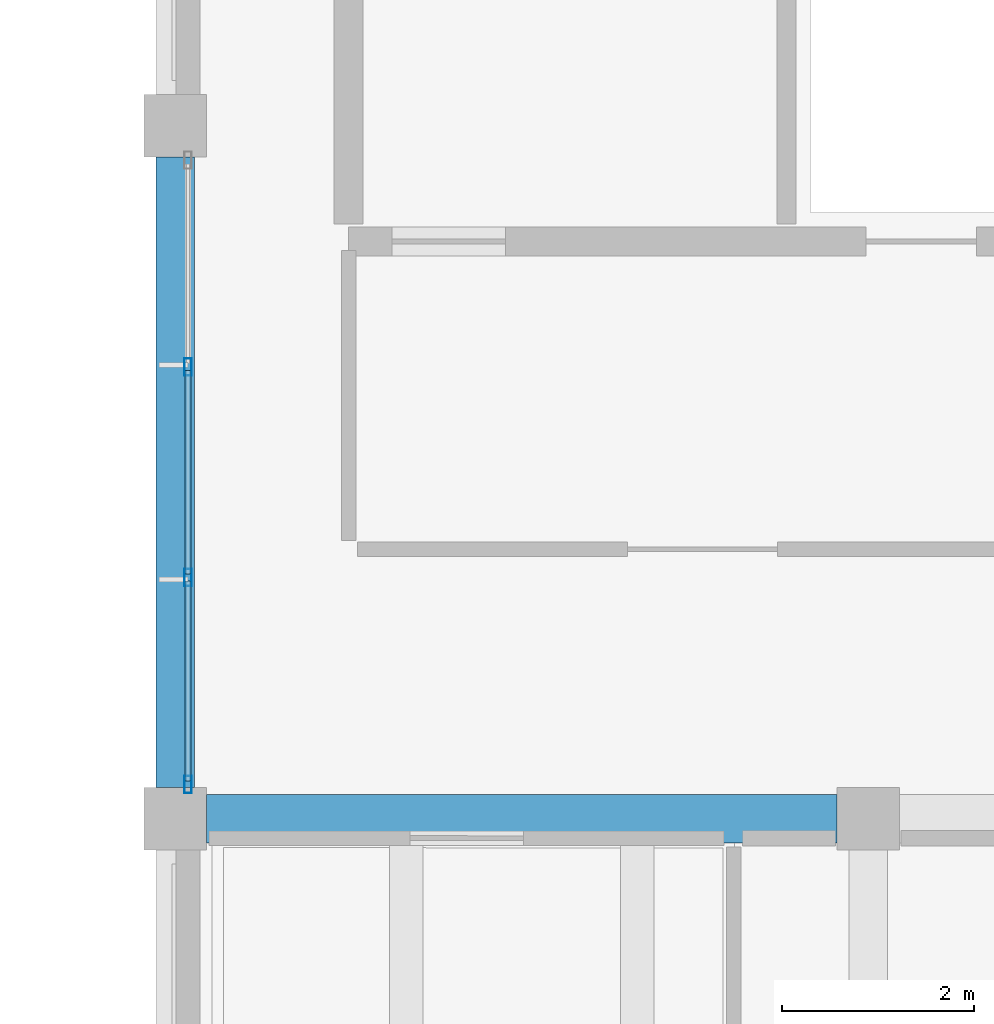
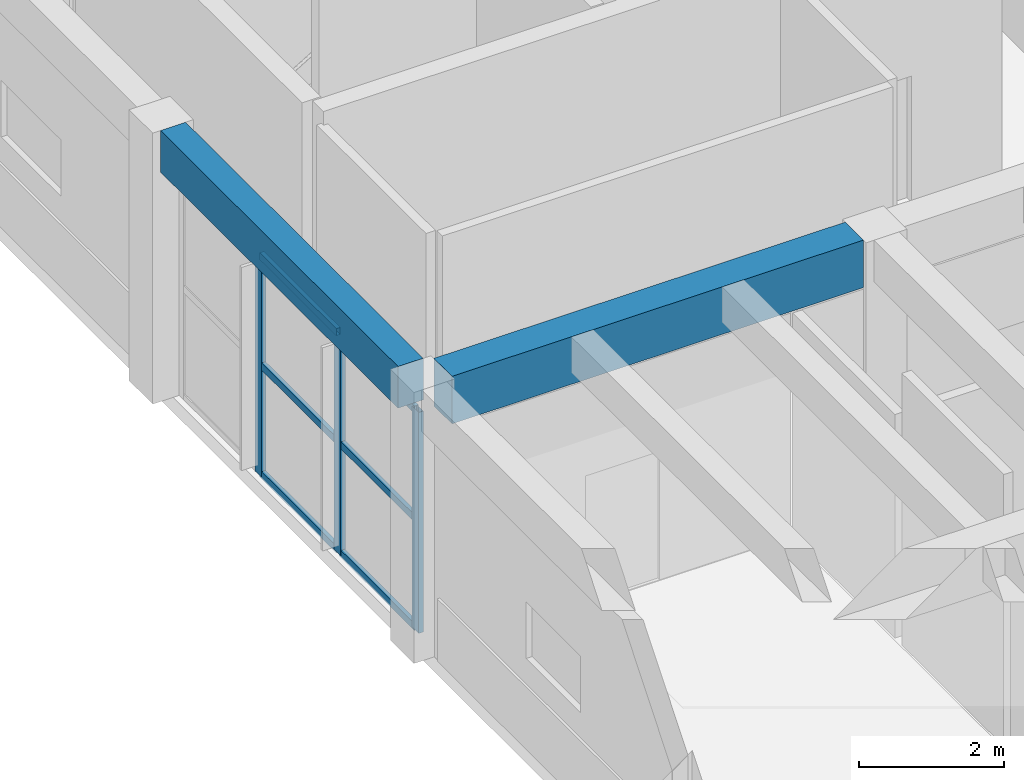
# One storey, part 72 of 155: 9 members, 2 beams, 1 element without a shape of its own.
"""IFC4 building model written with IfcOpenShell, lengths in metres."""

from ifc_helpers import new_model, si_unit, direction, frame, origin, origin_2d, place, context, subcontext, project, spatial, rectangle, hollow_rectangle, extrude, material, material_profile, profile_set, type_object, element, aggregate, save


model = new_model("IFC4")

# Units and contexts
model_context = context("Model", 3, precision=1e-05, world=origin(), true_north=direction((0.0, 1.0)))
body_context = subcontext(model_context, "Body", "Model", "MODEL_VIEW")
ifc_project = project(units=[si_unit("LENGTHUNIT", "METRE"), si_unit("AREAUNIT", "SQUARE_METRE"), si_unit("VOLUMEUNIT", "CUBIC_METRE"), si_unit("PLANEANGLEUNIT", "RADIAN"), si_unit("MASSUNIT", "GRAM", prefix="KILO")], contexts=[model_context])

# Site, building, storey
site_placement = place(None, origin())
site = spatial("IfcSite", under=ifc_project, at=site_placement, CompositionType="ELEMENT")
building_placement = place(site_placement, origin())
building = spatial("IfcBuilding", under=site, at=building_placement, Name="Bramvelor Terrace Health Centre", CompositionType="ELEMENT")
storey_placement = place(building_placement, origin())
storey = spatial("IfcBuildingStorey", under=building, at=storey_placement, Name="L01", CompositionType="ELEMENT", Elevation=0.0)

# Beams
ifc_material_1 = material(Name="Concrete C40/50", Category="concrete")
ifc_material_profile_1 = material_profile(ifc_material_1, rectangle(XDim=0.5, YDim=0.800048828125, at=origin_2d()), Name="RC 500x800")
ifc_profile_set_1 = profile_set([ifc_material_profile_1], Name="Concrete C40/50")
beam_type_1 = type_object("IfcBeamType", Name="BM-RC-G800", PredefinedType="BEAM", material=ifc_profile_set_1)
beam_1_placement = place(storey_placement, frame((0.324951171875, 100.800048828125, 4.159912109375), z_axis=(1.0, 0.0, 0.0), x_axis=(0.0, 1.0, 0.0)))
element("IfcBeam", 1, at=beam_1_placement, inside=storey, type_object=beam_type_1, Name="L01 Floor Girder", PredefinedType="BEAM", context=body_context, shape_type="SweptSolid", body=[
    extrude(rectangle(XDim=0.5, YDim=0.800048828125, at=origin_2d()), origin(), (0.0, 0.0, 1.0), 6.550048828125),
])
ifc_material_2 = material(Name="Concrete C40/50", Category="concrete")
ifc_material_profile_2 = material_profile(ifc_material_2, rectangle(XDim=0.39990234375, YDim=0.699951171875, at=origin_2d()), Name="RC 400x700")
ifc_profile_set_2 = profile_set([ifc_material_profile_2], Name="Concrete C40/50")
beam_type_2 = type_object("IfcBeamType", Name="BM-RC-SP700-EXT", PredefinedType="SPANDREL", material=ifc_profile_set_2)
beam_2_placement = place(storey_placement, frame((0.0, 101.125, 4.2099609375), z_axis=(0.0, 1.0, 0.0), x_axis=(-1.0, 0.0, 0.0)))
element("IfcBeam", 2, at=beam_2_placement, inside=storey, type_object=beam_type_2, Name="L01 Floor Girder", PredefinedType="SPANDREL", context=body_context, shape_type="SweptSolid", body=[
    extrude(rectangle(XDim=0.39990234375, YDim=0.699951171875, at=origin_2d()), origin(), (0.0, 0.0, 1.0), 6.550048828125),
])

# Curtain wall, members
ifc_material_3 = material(Name="Anodized aluminium and double low-E glass", Category="aluminium")
curtain_wall_type = type_object("IfcCurtainWallType", Name="CW-SYS-02", PredefinedType="NOTDEFINED", material=ifc_material_3)
curtain_wall_placement = place(storey_placement, origin())
curtain_wall = element("IfcCurtainWall", 3, at=curtain_wall_placement, inside=storey, type_object=curtain_wall_type, Name="L01 Unitized Curtain Wall 17", PredefinedType="NOTDEFINED")
ifc_material_4 = material(Name="Anodized aluminium 6063-T6", Category="aluminium")
ifc_material_profile_3 = material_profile(ifc_material_4, hollow_rectangle(XDim=0.074951171875, YDim=0.179931640625, WallThickness=0.00341796875, at=origin_2d()), Name="ALU-MUL 75x180x3.5")
ifc_profile_set_3 = profile_set([ifc_material_profile_3], Name="Anodized aluminium 6063-T6")
member_type_1 = type_object("IfcMemberType", Name="CW-MUL-65x180", PredefinedType="MULLION", material=ifc_profile_set_3)
member_1_placement = place(storey_placement, frame((0.1298828125, 101.157470703125, 0.0), z_axis=(0.0, 0.0, 1.0), x_axis=(-1.0, 0.0, 0.0)))
member_1 = element("IfcMember", 4, at=member_1_placement, type_object=member_type_1, Name="CW-02 mullion 1", PredefinedType="MULLION", context=body_context, shape_type="SweptSolid", body=[
    extrude(hollow_rectangle(XDim=0.074951171875, YDim=0.179931640625, WallThickness=0.00341796875, at=origin_2d()), origin(), (0.0, 0.0, 1.0), 3.719970703125),
])
member_2_placement = place(storey_placement, frame((0.1298828125, 103.306640625, 0.0), z_axis=(0.0, 0.0, 1.0), x_axis=(-1.0, 0.0, 0.0)))
member_2 = element("IfcMember", 5, at=member_2_placement, type_object=member_type_1, Name="CW-02 mullion 2", PredefinedType="MULLION", context=body_context, shape_type="SweptSolid", body=[
    extrude(hollow_rectangle(XDim=0.074951171875, YDim=0.179931640625, WallThickness=0.00341796875, at=origin_2d()), origin(), (0.0, 0.0, 1.0), 3.719970703125),
])
member_3_placement = place(storey_placement, frame((0.1298828125, 105.493408203125, 0.0), z_axis=(0.0, 0.0, 1.0), x_axis=(-1.0, 0.0, 0.0)))
member_3 = element("IfcMember", 6, at=member_3_placement, type_object=member_type_1, Name="CW-02 mullion 3", PredefinedType="MULLION", context=body_context, shape_type="SweptSolid", body=[
    extrude(hollow_rectangle(XDim=0.074951171875, YDim=0.179931640625, WallThickness=0.00341796875, at=origin_2d()), origin(), (0.0, 0.0, 1.0), 3.719970703125),
])
ifc_material_5 = material(Name="Anodized aluminium 6063-T6", Category="aluminium")
ifc_material_profile_4 = material_profile(ifc_material_5, hollow_rectangle(XDim=0.06494140625, YDim=0.1201171875, WallThickness=0.0029296875, at=origin_2d()), Name="ALU-TRN 65x120x3.0")
ifc_profile_set_4 = profile_set([ifc_material_profile_4], Name="Anodized aluminium 6063-T6")
member_type_2 = type_object("IfcMemberType", Name="CW-TRN-65x150", PredefinedType="USERDEFINED", material=ifc_profile_set_4)
member_4_placement = place(storey_placement, frame((0.1298828125, 101.195068359375, 0.032470703125), z_axis=(0.0, 1.0, 0.0), x_axis=(-1.0, 0.0, 0.0)))
member_4 = element("IfcMember", 7, at=member_4_placement, type_object=member_type_2, Name="CW-02 transom 1.1", ObjectType="TRANSOM", PredefinedType="USERDEFINED", context=body_context, shape_type="SweptSolid", body=[
    extrude(hollow_rectangle(XDim=0.06494140625, YDim=0.1201171875, WallThickness=0.0029296875, at=origin_2d()), origin(), (0.0, 0.0, 1.0), 2.07421875),
])
member_5_placement = place(storey_placement, frame((0.1298828125, 101.195068359375, 1.860107421875), z_axis=(0.0, 1.0, 0.0), x_axis=(-1.0, 0.0, 0.0)))
member_5 = element("IfcMember", 8, at=member_5_placement, type_object=member_type_2, Name="CW-02 transom 1.2", ObjectType="TRANSOM", PredefinedType="USERDEFINED", context=body_context, shape_type="SweptSolid", body=[
    extrude(hollow_rectangle(XDim=0.06494140625, YDim=0.1201171875, WallThickness=0.0029296875, at=origin_2d()), origin(), (0.0, 0.0, 1.0), 2.07421875),
])
member_6_placement = place(storey_placement, frame((0.1298828125, 101.195068359375, 3.6875), z_axis=(0.0, 1.0, 0.0), x_axis=(-1.0, 0.0, 0.0)))
member_6 = element("IfcMember", 9, at=member_6_placement, type_object=member_type_2, Name="CW-02 transom 1.3", ObjectType="TRANSOM", PredefinedType="USERDEFINED", context=body_context, shape_type="SweptSolid", body=[
    extrude(hollow_rectangle(XDim=0.06494140625, YDim=0.1201171875, WallThickness=0.0029296875, at=origin_2d()), origin(), (0.0, 0.0, 1.0), 2.07421875),
])
member_7_placement = place(storey_placement, frame((0.1298828125, 103.34423828125, 0.032470703125), z_axis=(0.0, 1.0, 0.0), x_axis=(-1.0, 0.0, 0.0)))
member_7 = element("IfcMember", 10, at=member_7_placement, type_object=member_type_2, Name="CW-02 transom 2.1", ObjectType="TRANSOM", PredefinedType="USERDEFINED", context=body_context, shape_type="SweptSolid", body=[
    extrude(hollow_rectangle(XDim=0.06494140625, YDim=0.1201171875, WallThickness=0.0029296875, at=origin_2d()), origin(), (0.0, 0.0, 1.0), 2.111572265625),
])
member_8_placement = place(storey_placement, frame((0.1298828125, 103.34423828125, 1.860107421875), z_axis=(0.0, 1.0, 0.0), x_axis=(-1.0, 0.0, 0.0)))
member_8 = element("IfcMember", 11, at=member_8_placement, type_object=member_type_2, Name="CW-02 transom 2.2", ObjectType="TRANSOM", PredefinedType="USERDEFINED", context=body_context, shape_type="SweptSolid", body=[
    extrude(hollow_rectangle(XDim=0.06494140625, YDim=0.1201171875, WallThickness=0.0029296875, at=origin_2d()), origin(), (0.0, 0.0, 1.0), 2.111572265625),
])
member_9_placement = place(storey_placement, frame((0.1298828125, 103.34423828125, 3.6875), z_axis=(0.0, 1.0, 0.0), x_axis=(-1.0, 0.0, 0.0)))
member_9 = element("IfcMember", 12, at=member_9_placement, type_object=member_type_2, Name="CW-02 transom 2.3", ObjectType="TRANSOM", PredefinedType="USERDEFINED", context=body_context, shape_type="SweptSolid", body=[
    extrude(hollow_rectangle(XDim=0.06494140625, YDim=0.1201171875, WallThickness=0.0029296875, at=origin_2d()), origin(), (0.0, 0.0, 1.0), 2.111572265625),
])
aggregate(curtain_wall, [member_1, member_2, member_3, member_4, member_5, member_6, member_7, member_8, member_9])

save(model, "model.ifc")
